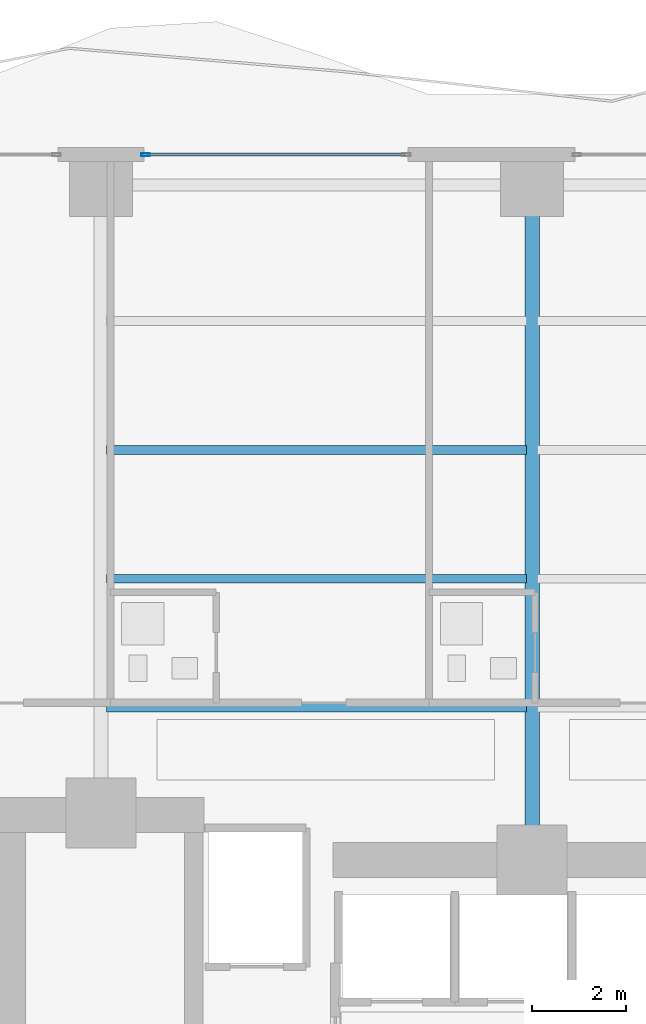
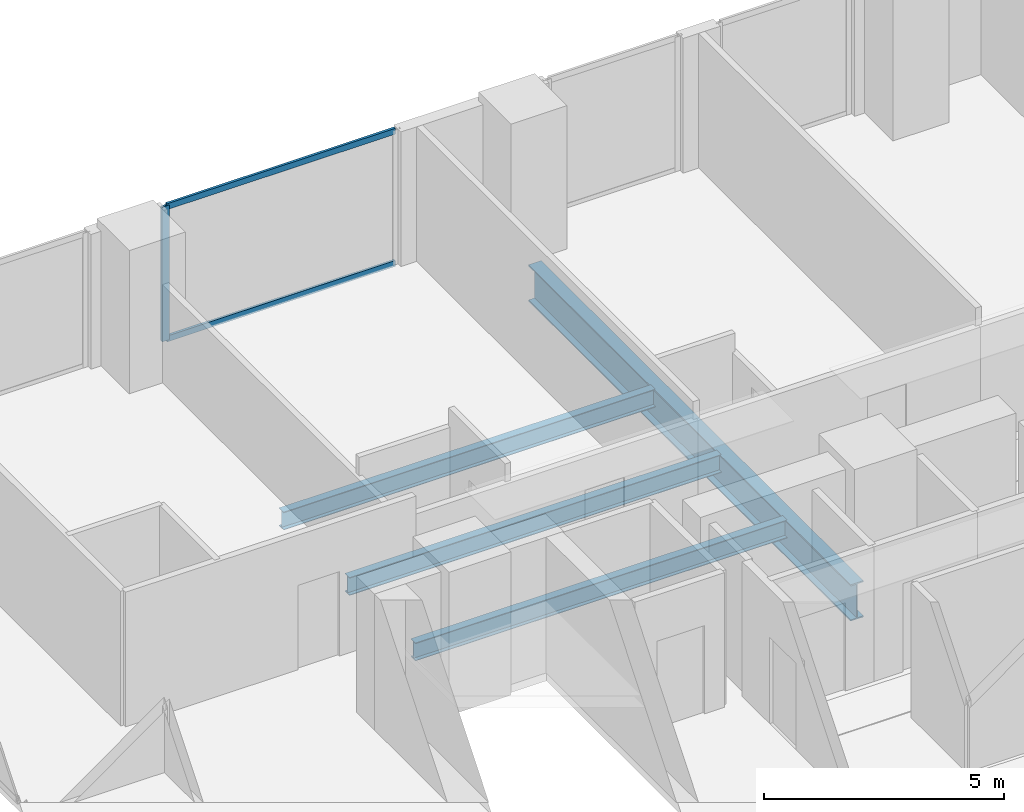
# One storey, part 15 of 30: 4 beams, 3 members, 1 element without a shape of its own.
"""IFC4 building model written with IfcOpenShell, lengths in metres."""

from ifc_helpers import new_model, si_unit, direction, frame, origin, origin_2d, place, context, subcontext, project, spatial, hollow_rectangle, i_section, extrude, material, layer, layer_set, material_profile, profile_set, type_object, element, aggregate, save


model = new_model("IFC4")

# Units and contexts
model_context = context("Model", 3, precision=1e-05, world=origin(), true_north=direction((0.0, 1.0)))
body_context = subcontext(model_context, "Body", "Model", "MODEL_VIEW")
ifc_project = project(units=[si_unit("LENGTHUNIT", "METRE"), si_unit("AREAUNIT", "SQUARE_METRE"), si_unit("VOLUMEUNIT", "CUBIC_METRE"), si_unit("PLANEANGLEUNIT", "RADIAN"), si_unit("MASSUNIT", "GRAM", prefix="KILO")], contexts=[model_context])

# Site, building, storey
site_placement = place(None, origin())
site = spatial("IfcSite", under=ifc_project, at=site_placement, CompositionType="ELEMENT")
building_placement = place(site_placement, origin())
building = spatial("IfcBuilding", under=site, at=building_placement, Name="Zuhayl Quay Hotel", CompositionType="ELEMENT")
storey_placement = place(building_placement, frame((0.0, 0.0, 128.5)))
storey = spatial("IfcBuildingStorey", under=building, at=storey_placement, Name="L32", CompositionType="ELEMENT", Elevation=128.5)

# Beams
ifc_material_1 = material(Name="Steel ASTM A992 Grade 50", Category="steel")
ifc_material_profile_1 = material_profile(ifc_material_1, i_section(OverallWidth=0.18994140625, OverallDepth=0.45703125, WebThickness=0.009033203125, FlangeThickness=0.014404296875, at=origin_2d()), Name="W18X50")
ifc_profile_set_1 = profile_set([ifc_material_profile_1], Name="Steel ASTM A992 Grade 50")
beam_type_1 = type_object("IfcBeamType", Name="BM_J2_W18X50", PredefinedType="JOIST", material=ifc_profile_set_1)
for number, where, z_axis, x_axis, name in (
    (1, (-13.680908203125, 16.60009765625, -0.448486328125), (1.0, 0.0, 0.0), (0.0, 1.0, 0.0), "L32 Floor Beam FJ_L32_1_1"),
    (2, (-13.680908203125, 19.35009765625, -0.448486328125), (1.0, 0.0, 0.0), (0.0, 1.0, 0.0), "L32 Floor Beam FJ_L32_2_1"),
    (3, (-13.680908203125, 22.10009765625, -0.448486328125), (1.0, 0.0, 0.0), (0.0, 1.0, 0.0), "L32 Floor Beam FJ_L32_3_1"),
):
    element("IfcBeam", number, at=place(storey_placement, frame(where, z_axis=z_axis, x_axis=x_axis)), inside=storey, type_object=beam_type_1, Name=name, PredefinedType="JOIST", context=body_context, shape_type="SweptSolid", body=[
        extrude(i_section(OverallWidth=0.18994140625, OverallDepth=0.45703125, WebThickness=0.009033203125, FlangeThickness=0.014404296875, at=origin_2d()), origin(), (0.0, 0.0, 1.0), 8.9619140625),
    ])
ifc_material_profile_2 = material_profile(ifc_material_1, i_section(OverallWidth=0.306884765625, OverallDepth=0.927001953125, WebThickness=0.019287109375, FlangeThickness=0.031982421875, at=origin_2d()), Name="W36X194")
ifc_profile_set_2 = profile_set([ifc_material_profile_2], Name="Steel ASTM A992 Grade 50")
beam_type_2 = type_object("IfcBeamType", Name="BM_PG2_W36X194", PredefinedType="BEAM", material=ifc_profile_set_2)
beam_placement = place(storey_placement, frame((-4.60009765625, 13.800048828125, -0.68359375), z_axis=(0.0, 1.0, 0.0), x_axis=(-1.0, 0.0, 0.0)))
element("IfcBeam", 4, at=beam_placement, inside=storey, type_object=beam_type_2, Name="L32 Floor Beam FG_N_L32_2", PredefinedType="BEAM", context=body_context, shape_type="SweptSolid", body=[
    extrude(i_section(OverallWidth=0.306884765625, OverallDepth=0.927001953125, WebThickness=0.019287109375, FlangeThickness=0.031982421875, at=origin_2d()), origin(), (0.0, 0.0, 1.0), 13.449951171875),
])

# Curtain wall, members
ifc_material_2 = material(Name="Anodised Aluminium 6063-T6", Category="aluminium")
ifc_layer = layer(ifc_material_2, 0.179931640625, Name="Anodised Aluminium 6063-T6", Category="aluminium")
ifc_layer_set = layer_set([ifc_layer], Name="Anodised Aluminium 6063-T6")
curtain_wall_type = type_object("IfcCurtainWallType", Name="CW_SYS_Z2", PredefinedType="USERDEFINED", material=ifc_layer_set)
curtain_wall_placement = place(storey_placement, origin())
curtain_wall = element("IfcCurtainWall", 5, at=curtain_wall_placement, inside=storey, type_object=curtain_wall_type, Name="L32 Curtain Wall ENV_L32_N_CW2", ObjectType="UNITISED CURTAIN WALL", PredefinedType="USERDEFINED")
ifc_material_3 = material(Name="Black-anodised aluminium 6063-T6", Category="aluminium")
ifc_material_profile_3 = material_profile(ifc_material_3, hollow_rectangle(XDim=0.06494140625, YDim=0.179931640625, WallThickness=0.00341796875, at=origin_2d()), Name="ALU180X65")
ifc_profile_set_3 = profile_set([ifc_material_profile_3], Name="Black-anodised aluminium 6063-T6")
member_type_1 = type_object("IfcMemberType", Name="MB_CW_MUL_180", PredefinedType="MULLION", material=ifc_profile_set_3)
member_1_placement = place(storey_placement, frame((-12.847412109375, 28.39990234375, 0.0), z_axis=(0.0, 0.0, 1.0), x_axis=(0.0, 1.0, 0.0)))
member_1 = element("IfcMember", 6, at=member_1_placement, type_object=member_type_1, Name="CW-Z2 mullion 1", PredefinedType="MULLION", context=body_context, shape_type="SweptSolid", body=[
    extrude(hollow_rectangle(XDim=0.06494140625, YDim=0.179931640625, WallThickness=0.00341796875, at=origin_2d()), origin(), (0.0, 0.0, 1.0), 3.429931640625),
])
ifc_material_profile_4 = material_profile(ifc_material_3, hollow_rectangle(XDim=0.06005859375, YDim=0.14990234375, WallThickness=0.00341796875, at=origin_2d()), Name="ALU150X60")
ifc_profile_set_4 = profile_set([ifc_material_profile_4], Name="Black-anodised aluminium 6063-T6")
member_type_2 = type_object("IfcMemberType", Name="MB_CW_TRN_150", PredefinedType="USERDEFINED", material=ifc_profile_set_4)
member_2_placement = place(storey_placement, frame((-12.81494140625, 28.39990234375, 0.030029296875), z_axis=(1.0, 0.0, 0.0), x_axis=(0.0, 1.0, 0.0)))
member_2 = element("IfcMember", 7, at=member_2_placement, type_object=member_type_2, Name="CW-Z2 transom 1.1", ObjectType="TRANSOM", PredefinedType="USERDEFINED", context=body_context, shape_type="SweptSolid", body=[
    extrude(hollow_rectangle(XDim=0.06005859375, YDim=0.14990234375, WallThickness=0.00341796875, at=origin_2d()), origin(), (0.0, 0.0, 1.0), 5.5),
])
member_3_placement = place(storey_placement, frame((-12.81494140625, 28.39990234375, 3.39990234375), z_axis=(1.0, 0.0, 0.0), x_axis=(0.0, 1.0, 0.0)))
member_3 = element("IfcMember", 8, at=member_3_placement, type_object=member_type_2, Name="CW-Z2 transom 1.2", ObjectType="TRANSOM", PredefinedType="USERDEFINED", context=body_context, shape_type="SweptSolid", body=[
    extrude(hollow_rectangle(XDim=0.06005859375, YDim=0.14990234375, WallThickness=0.00341796875, at=origin_2d()), origin(), (0.0, 0.0, 1.0), 5.5),
])
aggregate(curtain_wall, [member_1, member_2, member_3])

save(model, "model.ifc")
